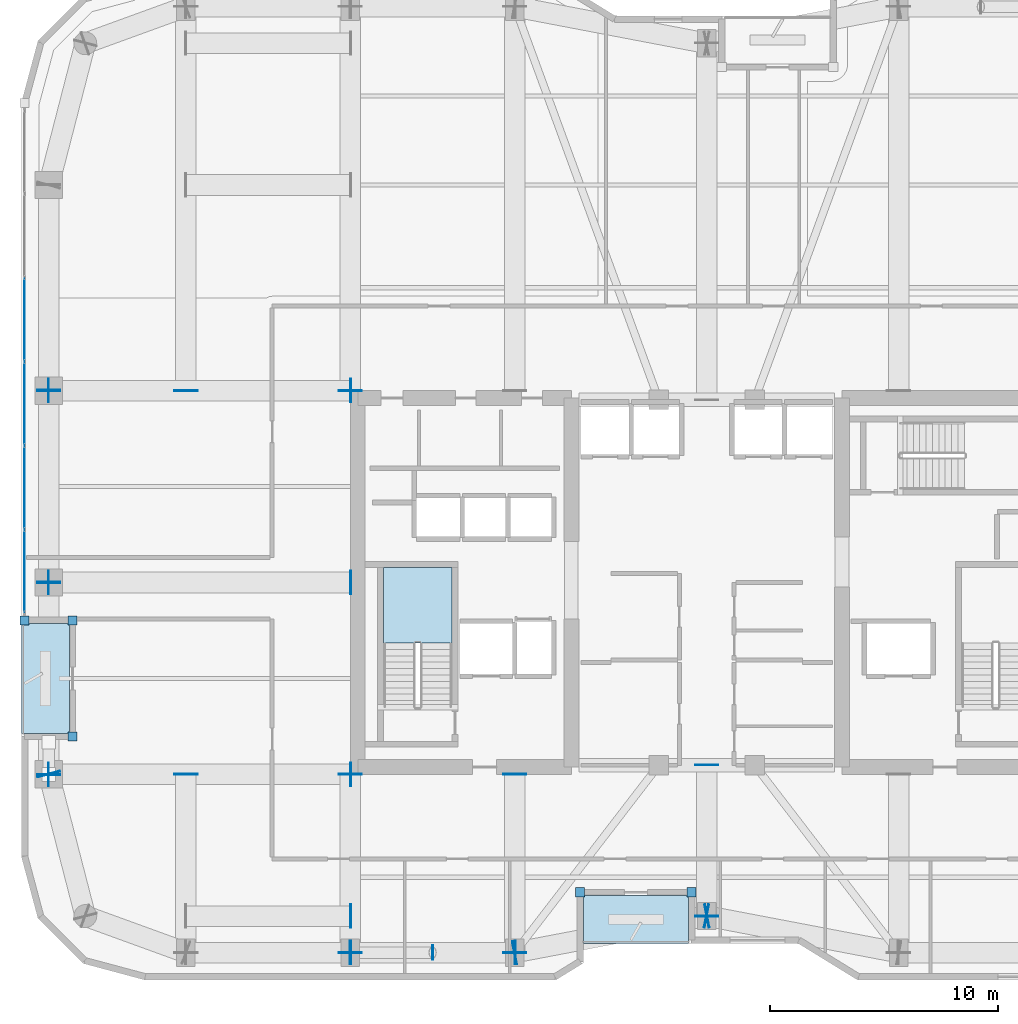
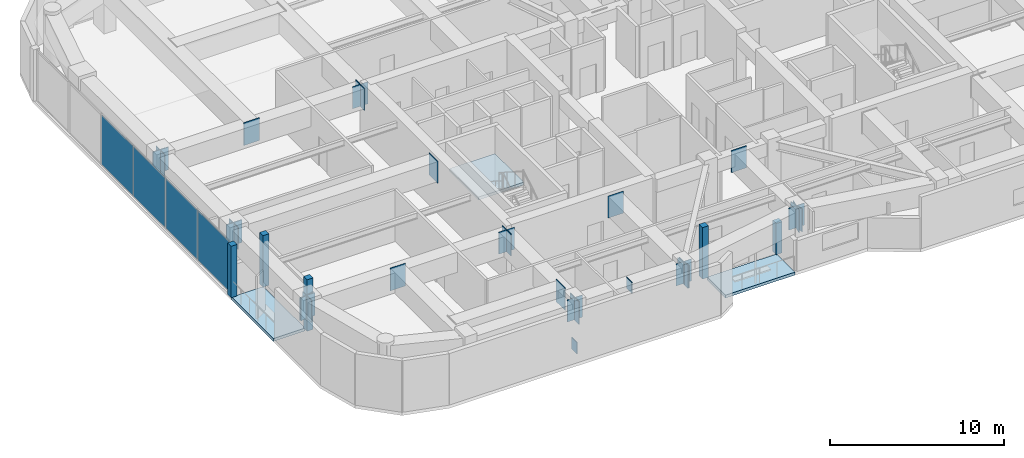
# One storey, part 21 of 30: 39 plates, 3 slabs, 2 elements without a shape of their own.
"""IFC4 building model written with IfcOpenShell, lengths in metres."""

import ifcopenshell
import ifcopenshell.guid

model = None  # the IFC model being written
_history = None  # IfcOwnerHistory: only IFC2X3 demands one
_inside = {}  # id of a spatial element -> (the spatial element, [elements in it])
_under = {}  # id of a project, library or spatial element -> (it, [spatial elements below it])
_declared = {}  # id of a project -> (the project, [libraries it declares])
_typed = {}  # id of a type object -> (the type object, [elements of that type])
_made_of = {}  # id of a material, layer set ... -> (it, [elements and type objects made of it])


def new_model(schema):
    """Start an empty IFC model of exactly this schema.

    Asked for "IFC4X3", IfcOpenShell would pick the latest addendum, in which some entities
    have other attributes; the version numbers below select the first issue.
    IFC2X3 requires an IfcOwnerHistory on every rooted entity: one is made here for all.
    """
    global model, _history
    if schema == "IFC4X3":
        model = ifcopenshell.file(schema_version=(4, 3, 0, 0))
    else:
        model = ifcopenshell.file(schema=schema)
    _inside.clear()
    _under.clear()
    _declared.clear()
    _typed.clear()
    _made_of.clear()
    _history = None
    if model.schema == "IFC2X3":
        org = make("IfcOrganization", Name="unknown")
        user = make(
            "IfcPersonAndOrganization",
            ThePerson=make("IfcPerson", FamilyName="unknown"),
            TheOrganization=org,
        )
        app = make(
            "IfcApplication",
            ApplicationDeveloper=org,
            Version="unknown",
            ApplicationFullName="unknown",
            ApplicationIdentifier="unknown",
        )
        _history = make(
            "IfcOwnerHistory",
            OwningUser=user,
            OwningApplication=app,
            ChangeAction="ADDED",
            CreationDate=0,
        )
    return model


def make(cls, **values):
    """One entity of the class cls with the attributes given. An attribute that is None is left unset."""
    return model.create_entity(
        cls, **{name: value for name, value in values.items() if value is not None}
    )


def rooted(cls, **values):
    """An entity with a GlobalId (a new one), such as an element, a storey or a relation."""
    return make(cls, GlobalId=ifcopenshell.guid.new(), OwnerHistory=_history, **values)


def si_unit(unit_type, name, prefix=None):
    """IfcSIUnit, for example si_unit("LENGTHUNIT", "METRE", prefix="MILLI")."""
    return make("IfcSIUnit", UnitType=unit_type, Prefix=prefix, Name=name)


def assignment(units):
    """IfcUnitAssignment: the units of a project."""
    return None if units is None else make("IfcUnitAssignment", Units=units)


def point(xyz):
    """IfcCartesianPoint."""
    return None if xyz is None else make("IfcCartesianPoint", Coordinates=xyz)


def direction(xyz):
    """IfcDirection."""
    return None if xyz is None else make("IfcDirection", DirectionRatios=xyz)


def frame(location, z_axis=None, x_axis=None):
    """IfcAxis2Placement3D, a coordinate frame: its origin and axes. An axis left out is left unset."""
    return make(
        "IfcAxis2Placement3D",
        Location=point(location),
        Axis=direction(z_axis),
        RefDirection=direction(x_axis),
    )


def frame_2d(location, x_axis=None):
    """IfcAxis2Placement2D, a coordinate frame in the plane: its origin and x axis."""
    return make(
        "IfcAxis2Placement2D", Location=point(location), RefDirection=direction(x_axis)
    )


def origin():
    """The frame at (0, 0, 0) with its axes left unset."""
    return frame((0.0, 0.0, 0.0))


def origin_2d():
    """The frame at (0, 0) in the plane with its x axis left unset."""
    return frame_2d((0.0, 0.0))


def place(relative_to, where):
    """IfcLocalPlacement: puts the frame where relative to a parent placement (None: the world)."""
    return make(
        "IfcLocalPlacement", PlacementRelTo=relative_to, RelativePlacement=where
    )


def context(
    kind, dimensions, precision=None, world=None, true_north=None, identifier=None
):
    """IfcGeometricRepresentationContext, for example the 3D "Model" context."""
    return make(
        "IfcGeometricRepresentationContext",
        ContextIdentifier=identifier,
        ContextType=kind,
        CoordinateSpaceDimension=dimensions,
        Precision=precision,
        WorldCoordinateSystem=world,
        TrueNorth=true_north,
    )


def subcontext(parent, identifier, kind, view, scale=None):
    """IfcGeometricRepresentationSubContext, for example "Body" below "Model"."""
    return make(
        "IfcGeometricRepresentationSubContext",
        ContextIdentifier=identifier,
        ContextType=kind,
        ParentContext=parent,
        TargetScale=scale,
        TargetView=view,
    )


def project(units=None, contexts=None):
    """IfcProject with its units and contexts."""
    return rooted(
        "IfcProject",
        Name="project",
        RepresentationContexts=contexts,
        UnitsInContext=assignment(units),
    )


def spatial(cls, under=None, at=None, **own):
    """A site, building, storey or space (cls), placed at a placement, below another one or the project."""
    s = rooted(cls, ObjectPlacement=at, **own)
    if under is not None:
        _under.setdefault(under.id(), (under, []))[1].append(s)
    return s


def polyline(points):
    """IfcPolyline through the points."""
    return make("IfcPolyline", Points=[point(p) for p in points])


def profile(cls, at=None, kind="AREA", **sizes):
    """A parametric profile (cls). Its sizes go by their IFC names, for example OverallWidth=200.0."""
    return make(cls, ProfileType=kind, Position=at, **sizes)


def rectangle(**sizes):
    """IfcRectangleProfileDef."""
    return profile("IfcRectangleProfileDef", **sizes)


def outline(outer, holes=None, kind="AREA"):
    """IfcArbitraryClosedProfileDef: a profile drawn as a closed curve; with holes, ...WithVoids."""
    if holes is None:
        return make("IfcArbitraryClosedProfileDef", ProfileType=kind, OuterCurve=outer)
    return make(
        "IfcArbitraryProfileDefWithVoids",
        ProfileType=kind,
        OuterCurve=outer,
        InnerCurves=holes,
    )


def extrude(swept, where, along, depth):
    """IfcExtrudedAreaSolid: the profile swept, set in the frame where, extruded along a direction by depth."""
    return make(
        "IfcExtrudedAreaSolid",
        SweptArea=swept,
        Position=where,
        ExtrudedDirection=direction(along),
        Depth=depth,
    )


def shape(context_of_items, identifier, shape_type, items):
    """IfcShapeRepresentation: the items that make up one representation, for example the "Body"."""
    return make(
        "IfcShapeRepresentation",
        ContextOfItems=context_of_items,
        RepresentationIdentifier=identifier,
        RepresentationType=shape_type,
        Items=items,
    )


def material(Name=None, Category=None):
    """IfcMaterial."""
    return make("IfcMaterial", Name=Name, Category=Category)


def layer(
    of_material, thickness, ventilated=None, Name=None, Category=None, Priority=None
):
    """IfcMaterialLayer: one layer of a wall or slab, of a material (None: an air gap)."""
    return make(
        "IfcMaterialLayer",
        Material=of_material,
        LayerThickness=thickness,
        IsVentilated=ventilated,
        Name=Name,
        Category=Category,
        Priority=Priority,
    )


def layer_set(layers, Name=None):
    """IfcMaterialLayerSet."""
    return make("IfcMaterialLayerSet", MaterialLayers=layers, LayerSetName=Name)


def made_of(thing, what):
    """Note that an element or type object is made of a material, layer set ...; save() writes the relation."""
    if what is not None:
        _made_of.setdefault(what.id(), (what, []))[1].append(thing)
    return thing


def type_object(cls, material=None, **own):
    """A type object (cls), such as IfcWallType, which elements share."""
    return made_of(rooted(cls, **own), material)


def element(
    cls,
    number,
    at=None,
    inside=None,
    cuts=None,
    type_object=None,
    material=None,
    context=None,
    identifier="Body",
    shape_type=None,
    held_by="IfcProductDefinitionShape",
    body=None,
    shapes=None,
    **own,
):
    """One element of the class cls, such as IfcWall. Its Tag is "e" and its number.

    at: its placement. inside: the storey or other place that contains it. cuts: it is an
    opening in that element (IfcRelVoidsElement). A single representation is given by context,
    identifier, shape_type and body (its items); several are given by shapes. held_by: the class
    of the entity that holds the representations. save() writes the other relations.
    """
    e = rooted(cls, Tag="e%d" % number, ObjectPlacement=at, **own)
    if body is not None:
        shapes = [shape(context, identifier, shape_type, body)]
    if shapes is not None:
        e.Representation = make(held_by, Representations=shapes)
    if inside is not None:
        _inside.setdefault(inside.id(), (inside, []))[1].append(e)
    if cuts is not None:
        rooted(
            "IfcRelVoidsElement", RelatingBuildingElement=cuts, RelatedOpeningElement=e
        )
    if type_object is not None:
        _typed.setdefault(type_object.id(), (type_object, []))[1].append(e)
    return made_of(e, material)


def aggregate(whole, parts):
    """IfcRelAggregates: a whole, such as a stair, and the parts it consists of."""
    return rooted("IfcRelAggregates", RelatingObject=whole, RelatedObjects=parts)


def save(model, path):
    """Write the relations noted so far, then the file.

    IfcRelAggregates (storeys below a building ...), IfcRelContainedInSpatialStructure (elements
    in a storey), IfcRelDefinesByType, IfcRelAssociatesMaterial and IfcRelDeclares: one each for
    every whole, place, type object, material and project.
    """
    for whole, parts in _under.values():
        aggregate(whole, parts)
    for where, things in _inside.values():
        rooted(
            "IfcRelContainedInSpatialStructure",
            RelatedElements=things,
            RelatingStructure=where,
        )
    for kind, things in _typed.values():
        rooted("IfcRelDefinesByType", RelatedObjects=things, RelatingType=kind)
    for what, things in _made_of.values():
        rooted("IfcRelAssociatesMaterial", RelatedObjects=things, RelatingMaterial=what)
    for by, libraries in _declared.values():
        rooted("IfcRelDeclares", RelatingContext=by, RelatedDefinitions=libraries)
    model.write(path)


model = new_model("IFC4")

# Units and contexts
model_context = context("Model", 3, precision=1e-05, world=origin(), true_north=direction((0.0, 1.0)))
body_context = subcontext(model_context, "Body", "Model", "MODEL_VIEW")
ifc_project = project(units=[si_unit("LENGTHUNIT", "METRE"), si_unit("AREAUNIT", "SQUARE_METRE"), si_unit("VOLUMEUNIT", "CUBIC_METRE"), si_unit("PLANEANGLEUNIT", "RADIAN"), si_unit("MASSUNIT", "GRAM", prefix="KILO")], contexts=[model_context])

# Site, building, storey
site_placement = place(None, origin())
site = spatial("IfcSite", under=ifc_project, at=site_placement, CompositionType="ELEMENT")
building_placement = place(site_placement, origin())
building = spatial("IfcBuilding", under=site, at=building_placement, Name="Kiyonajd Concourse Tower", CompositionType="ELEMENT")
storey_placement = place(building_placement, frame((0.0, 0.0, 205.800048828125)))
storey = spatial("IfcBuildingStorey", under=building, at=storey_placement, Name="L52", CompositionType="ELEMENT", Elevation=205.800048828125)

# Plates
ifc_material_1 = material(Name="Steel ASTM A572 Grade 50", Category="steel")
ifc_layer_1 = layer(ifc_material_1, 0.028076171875)
ifc_layer_set_1 = layer_set([ifc_layer_1], Name="Steel ASTM A572 Grade 50")
plate_type_1 = type_object("IfcPlateType", Name="PL-CAP-450", PredefinedType="USERDEFINED", material=ifc_layer_set_1)
for number, where, z_axis, x_axis, name in (
    (1, (32.3916015625, 19.800048828125, -0.10546875), (0.0, 0.0, 1.0), (-1.0, 0.0, 0.0), "L52 Hollow Brace End Cap Plate PBS"),
    (2, (36.008544921875, 19.800048828125, 2.8583984375), (0.0, 0.0, 1.0), (1.0, 0.0, 0.0), "L52 Hollow Brace Top Cap Plate PBS"),
):
    element("IfcPlate", number, at=place(storey_placement, frame(where, z_axis=z_axis, x_axis=x_axis)), inside=storey, type_object=plate_type_1, Name=name, ObjectType="CAP PLATE", PredefinedType="USERDEFINED", context=body_context, shape_type="SweptSolid", body=[
        extrude(rectangle(XDim=0.035888671875, YDim=0.6279296875, at=origin_2d()), origin(), (0.0, 0.0, 1.0), 0.797119140625),
    ])
ifc_layer_2 = layer(ifc_material_1, 0.031982421875)
ifc_layer_set_2 = layer_set([ifc_layer_2], Name="Steel ASTM A572 Grade 50")
plate_type_2 = type_object("IfcPlateType", Name="PL-CAP-540", PredefinedType="USERDEFINED", material=ifc_layer_set_2)
for number, where, z_axis, x_axis, name in (
    (3, (32.410888671875, 21.39990234375, 2.080078125), (0.0, 0.0, 1.0), (1.0, 0.0, 0.0), "L52 Transfer Box Cap Plate"),
    (4, (19.197265625, 27.610595703125, 2.14013671875), (0.0, 0.0, 1.0), (-0.249873048837, 0.968278606324, 0.0), "L52 Welded Box Girder End Cap"),
    (5, (32.410888671875, 19.800048828125, 2.080078125), (0.0, 0.0, 1.0), (1.0, 0.0, 0.0), "L52 Welded Box Girder End Cap"),
    (6, (32.388916015625, 19.800048828125, 2.080078125), (0.0, 0.0, 1.0), (-1.0, 0.0, 0.0), "L52 Welded Box Girder End Cap"),
    (7, (39.611083984375, 19.800048828125, 2.080078125), (0.0, 0.0, 1.0), (1.0, 0.0, 0.0), "L52 Welded Box Girder End Cap"),
    (8, (39.589111328125, 19.7978515625, 2.080078125), (0.0, 0.0, 1.0), (-0.982352599301, -0.187038420242, 0.0), "L52 Welded Box Girder End Cap"),
    (9, (48.0107421875, 21.402099609375, 2.080078125), (0.0, 0.0, 1.0), (0.982352599301, 0.187038420242, 0.0), "L52 Welded Box Girder End Cap"),
    (10, (47.9892578125, 21.402099609375, 2.080078125), (0.0, 0.0, 1.0), (-0.982352599301, 0.187038420242, 0.0), "L52 Welded Box Girder End Cap"),
    (11, (19.199951171875, 44.388916015625, 2.14013671875), (0.0, 0.0, 1.0), (0.0, -1.0, 0.0), "L52 Welded Box Girder End Cap"),
    (12, (19.199951171875, 44.410888671875, 2.14013671875), (0.0, 0.0, 1.0), (0.0, 1.0, 0.0), "L52 Welded Box Girder End Cap"),
    (13, (19.199951171875, 35.989013671875, 2.14013671875), (0.0, 0.0, 1.0), (0.0, -1.0, 0.0), "L52 Welded Box Girder End Cap"),
    (14, (19.199951171875, 36.010986328125, 2.14013671875), (0.0, 0.0, 1.0), (0.0, 1.0, 0.0), "L52 Welded Box Girder End Cap"),
    (15, (19.199951171875, 27.589111328125, 2.14013671875), (0.0, 0.0, 1.0), (0.0, -1.0, 0.0), "L52 Welded Box Girder End Cap"),
    (16, (25.199951171875, 27.611083984375, 2.080078125), (0.0, 0.0, 1.0), (0.0, 1.0, 0.0), "L52 Welded Box Girder End Cap"),
    (17, (25.199951171875, 44.388916015625, 2.080078125), (0.0, 0.0, 1.0), (0.0, -1.0, 0.0), "L52 Welded Box Girder End Cap"),
):
    element("IfcPlate", number, at=place(storey_placement, frame(where, z_axis=z_axis, x_axis=x_axis)), inside=storey, type_object=plate_type_2, Name=name, ObjectType="CAP PLATE", PredefinedType="USERDEFINED", context=body_context, shape_type="SweptSolid", body=[
        extrude(rectangle(XDim=0.035888671875, YDim=1.02001953125, at=origin_2d()), origin(), (0.0, 0.0, 1.0), 1.590087890625),
    ])
for number, where, z_axis, x_axis, name in (
    (18, (32.39990234375, 19.7890625, 2.1298828125), (0.0, 0.0, 1.0), (0.0, -1.0, 0.0), "L52 Welded Box Girder End Cap"),
    (19, (32.39990234375, 27.611083984375, 2.1298828125), (0.0, 0.0, 1.0), (0.0, 1.0, 0.0), "L52 Welded Box Girder End Cap"),
    (20, (32.39990234375, 44.388916015625, 2.1298828125), (0.0, 0.0, 1.0), (0.0, -1.0, 0.0), "L52 Welded Box Girder End Cap"),
    (21, (39.60009765625, 19.7890625, 2.1298828125), (0.0, 0.0, 1.0), (0.0, -1.0, 0.0), "L52 Welded Box Girder End Cap"),
    (22, (39.60009765625, 27.611083984375, 2.1298828125), (0.0, 0.0, 1.0), (0.0, 1.0, 0.0), "L52 Welded Box Girder End Cap"),
    (23, (48.0, 21.388916015625, 2.1298828125), (0.0, 0.0, 1.0), (0.0, -1.0, 0.0), "L52 Welded Box Girder End Cap"),
    (24, (48.0, 28.010986328125, 2.1298828125), (0.0, 0.0, 1.0), (0.0, 1.0, 0.0), "L52 Welded Box Girder End Cap"),
    (25, (19.18896484375, 27.60009765625, 2.1298828125), (0.0, 0.0, 1.0), (-1.0, 0.0, 0.0), "L52 Welded Box Girder End Cap"),
    (26, (32.410888671875, 27.60009765625, 2.1298828125), (0.0, 0.0, 1.0), (1.0, 0.0, 0.0), "L52 Welded Box Girder End Cap"),
    (27, (19.18896484375, 36.0, 2.1298828125), (0.0, 0.0, 1.0), (-1.0, 0.0, 0.0), "L52 Welded Box Girder End Cap"),
    (28, (32.410888671875, 36.0, 2.1298828125), (0.0, 0.0, 1.0), (1.0, 0.0, 0.0), "L52 Welded Box Girder End Cap"),
    (29, (19.18896484375, 44.39990234375, 2.1298828125), (0.0, 0.0, 1.0), (-1.0, 0.0, 0.0), "L52 Welded Box Girder End Cap"),
    (30, (32.410888671875, 44.39990234375, 2.1298828125), (0.0, 0.0, 1.0), (1.0, 0.0, 0.0), "L52 Welded Box Girder End Cap"),
):
    element("IfcPlate", number, at=place(storey_placement, frame(where, z_axis=z_axis, x_axis=x_axis)), inside=storey, type_object=plate_type_2, Name=name, ObjectType="CAP PLATE", PredefinedType="USERDEFINED", context=body_context, shape_type="SweptSolid", body=[
        extrude(rectangle(XDim=0.035888671875, YDim=1.02001953125, at=origin_2d()), origin(), (0.0, 0.0, 1.0), 1.5400390625),
    ])

# Curtain wall, plates
ifc_material_2 = material(Name="Thermally Broken Anodised Aluminium", Category="aluminium")
ifc_layer_3 = layer(ifc_material_2, 0.179931640625)
ifc_layer_set_3 = layer_set([ifc_layer_3], Name="Thermally Broken Anodised Aluminium")
curtain_wall_type = type_object("IfcCurtainWallType", Name="CW-SYS-03", PredefinedType="NOTDEFINED", material=ifc_layer_set_3)
curtain_wall_placement = place(storey_placement, origin())
curtain_wall = element("IfcCurtainWall", 31, at=curtain_wall_placement, inside=storey, type_object=curtain_wall_type, Name="L52 Unitised Curtain Wall CW3", PredefinedType="NOTDEFINED")
ifc_material_3 = material(Name="Double Low-E Insulated Glass", Category="glass")
ifc_layer_4 = layer(ifc_material_3, 0.033935546875)
ifc_layer_set_4 = layer_set([ifc_layer_4], Name="Double Low-E Insulated Glass")
plate_type_3 = type_object("IfcPlateType", Name="PL-CW-VIS34", PredefinedType="CURTAIN_PANEL", material=ifc_layer_set_4)
plate_1_placement = place(storey_placement, frame((18.139892578125, 36.484619140625, 0.06494140625), z_axis=(0.0, 0.0, 1.0), x_axis=(0.0, 1.0, 0.0)))
plate_1 = element("IfcPlate", 32, at=plate_1_placement, type_object=plate_type_3, Name="CW3 panel 1.1", PredefinedType="CURTAIN_PANEL", context=body_context, shape_type="SweptSolid", body=[
    extrude(rectangle(XDim=3.579345703125, YDim=0.033935546875, at=origin_2d()), origin(), (0.0, 0.0, 1.0), 3.469970703125),
])
plate_2_placement = place(storey_placement, frame((18.139892578125, 40.1455078125, 0.06494140625), z_axis=(0.0, 0.0, 1.0), x_axis=(0.0, 1.0, 0.0)))
plate_2 = element("IfcPlate", 33, at=plate_2_placement, type_object=plate_type_3, Name="CW3 panel 2.1", PredefinedType="CURTAIN_PANEL", context=body_context, shape_type="SweptSolid", body=[
    extrude(rectangle(XDim=3.61181640625, YDim=0.033935546875, at=origin_2d()), origin(), (0.0, 0.0, 1.0), 3.469970703125),
])
plate_3_placement = place(storey_placement, frame((18.139892578125, 43.822265625, 0.06494140625), z_axis=(0.0, 0.0, 1.0), x_axis=(0.0, 1.0, 0.0)))
plate_3 = element("IfcPlate", 34, at=plate_3_placement, type_object=plate_type_3, Name="CW3 panel 3.1", PredefinedType="CURTAIN_PANEL", context=body_context, shape_type="SweptSolid", body=[
    extrude(rectangle(XDim=3.61181640625, YDim=0.033935546875, at=origin_2d()), origin(), (0.0, 0.0, 1.0), 3.469970703125),
])
plate_4_placement = place(storey_placement, frame((18.139892578125, 47.499267578125, 0.06494140625), z_axis=(0.0, 0.0, 1.0), x_axis=(0.0, 1.0, 0.0)))
plate_4 = element("IfcPlate", 35, at=plate_4_placement, type_object=plate_type_3, Name="CW3 panel 4.1", PredefinedType="CURTAIN_PANEL", context=body_context, shape_type="SweptSolid", body=[
    extrude(rectangle(XDim=3.61181640625, YDim=0.033935546875, at=origin_2d()), origin(), (0.0, 0.0, 1.0), 3.469970703125),
])
aggregate(curtain_wall, [plate_1, plate_2, plate_3, plate_4])

# Plates
ifc_layer_5 = layer(ifc_material_2, 0.39990234375)
ifc_layer_set_5 = layer_set([ifc_layer_5], Name="Thermally Broken Anodised Aluminium")
plate_type_4 = type_object("IfcPlateType", Name="PL-JMB-400", PredefinedType="USERDEFINED", material=ifc_layer_set_5)
for number, where, z_axis, x_axis, name in (
    (36, (20.239990234375, 29.260009765625, 0.0), (0.0, 0.0, 1.0), (1.0, 0.0, 0.0), "L52 Facade Jamb Closure Plate 01"),
    (37, (20.239990234375, 34.340087890625, 0.0), (0.0, 0.0, 1.0), (1.0, 0.0, 0.0), "L52 Facade Jamb Closure Plate 02"),
    (38, (18.139892578125, 34.340087890625, 0.0), (0.0, 0.0, 1.0), (1.0, 0.0, 0.0), "L52 Facade Jamb Closure Plate 03"),
):
    element("IfcPlate", number, at=place(storey_placement, frame(where, z_axis=z_axis, x_axis=x_axis)), inside=storey, type_object=plate_type_4, Name=name, ObjectType="JAMB PLATE", PredefinedType="USERDEFINED", context=body_context, shape_type="SweptSolid", body=[
        extrude(rectangle(XDim=0.39990234375, YDim=0.39990234375, at=origin_2d()), origin(), (0.0, 0.0, 1.0), 3.60009765625),
    ])
plate_5_placement = place(storey_placement, frame((47.340087890625, 22.43994140625, 0.0), z_axis=(0.0, 0.0, 1.0), x_axis=(1.0, 0.0, 0.0)))
element("IfcPlate", 39, at=plate_5_placement, inside=storey, type_object=plate_type_4, Name="L52 Facade Jamb Closure Plate 13", ObjectType="JAMB PLATE", PredefinedType="USERDEFINED", context=body_context, shape_type="SweptSolid", body=[
    extrude(rectangle(XDim=0.39990234375, YDim=0.39990234375, at=origin_2d()), origin(), (0.0, 0.0, 1.0), 2.18505859375),
])
plate_6_placement = place(storey_placement, frame((42.4599609375, 22.43994140625, 0.0), z_axis=(0.0, 0.0, 1.0), x_axis=(1.0, 0.0, 0.0)))
element("IfcPlate", 40, at=plate_6_placement, inside=storey, type_object=plate_type_4, Name="L52 Facade Jamb Closure Plate 14", ObjectType="JAMB PLATE", PredefinedType="USERDEFINED", context=body_context, shape_type="SweptSolid", body=[
    extrude(rectangle(XDim=0.39990234375, YDim=0.39990234375, at=origin_2d()), origin(), (0.0, 0.0, 1.0), 3.60009765625),
])

# Stair, slab
ifc_material_4 = material(Name="Concrete C40/50", Category="concrete")
stair_type = type_object("IfcStairType", Name="ST-DLG-22R", PredefinedType="HALF_TURN_STAIR", material=ifc_material_4)
stair_placement = place(storey_placement, origin())
stair = element("IfcStair", 41, at=stair_placement, inside=storey, type_object=stair_type, Name="L52 Protected Exit Stair ST1", PredefinedType="HALF_TURN_STAIR")
ifc_layer_6 = layer(ifc_material_4, 0.199951171875)
ifc_layer_set_6 = layer_set([ifc_layer_6], Name="Concrete C40/50")
slab_type_1 = type_object("IfcSlabType", Name="SL-LND-200", PredefinedType="LANDING", material=ifc_layer_set_6)
slab_1_placement = place(storey_placement, frame((0.0, 0.0, 1.75)))
slab_1 = element("IfcSlab", 42, at=slab_1_placement, type_object=slab_type_1, Name="ST1 landing 1", PredefinedType="LANDING", context=body_context, shape_type="SweptSolid", body=[
    extrude(outline(polyline([(36.85009765625, 33.35009765625), (36.85009765625, 36.64990234375), (33.85009765625, 36.64990234375), (33.85009765625, 33.35009765625), (36.85009765625, 33.35009765625)])), origin(), (0.0, 0.0, 1.0), 0.199951171875),
])
aggregate(stair, [slab_1])

# Slabs
ifc_material_5 = material(Name="Precast concrete C50/60", Category="concrete")
ifc_layer_7 = layer(ifc_material_5, 0.199951171875)
ifc_layer_set_7 = layer_set([ifc_layer_7], Name="Precast concrete C50/60")
slab_type_2 = type_object("IfcSlabType", Name="SL-LOG-200", PredefinedType="FLOOR", material=ifc_layer_set_7)
slab_2_placement = place(storey_placement, frame((0.0, 0.0, -0.199951171875)))
element("IfcSlab", 43, at=slab_2_placement, inside=storey, type_object=slab_type_2, Name="L52 Recessed Engawa Loggia Terrace Slab LOG-S", PredefinedType="FLOOR", context=body_context, shape_type="SweptSolid", body=[
    extrude(outline(polyline([(42.60009765625, 20.199951171875), (47.199951171875, 20.199951171875), (47.199951171875, 22.300048828125), (42.60009765625, 22.300048828125), (42.60009765625, 20.199951171875)])), origin(), (0.0, 0.0, 1.0), 0.199951171875),
])
slab_3_placement = place(storey_placement, frame((0.0, 0.0, -0.199951171875)))
element("IfcSlab", 44, at=slab_3_placement, inside=storey, type_object=slab_type_2, Name="L52 Recessed Engawa Loggia Terrace Slab LOG-W", PredefinedType="FLOOR", context=body_context, shape_type="SweptSolid", body=[
    extrude(outline(polyline([(18.0, 29.39990234375), (20.10009765625, 29.39990234375), (20.10009765625, 34.199951171875), (18.0, 34.199951171875), (18.0, 29.39990234375)])), origin(), (0.0, 0.0, 1.0), 0.199951171875),
])

save(model, "model.ifc")
